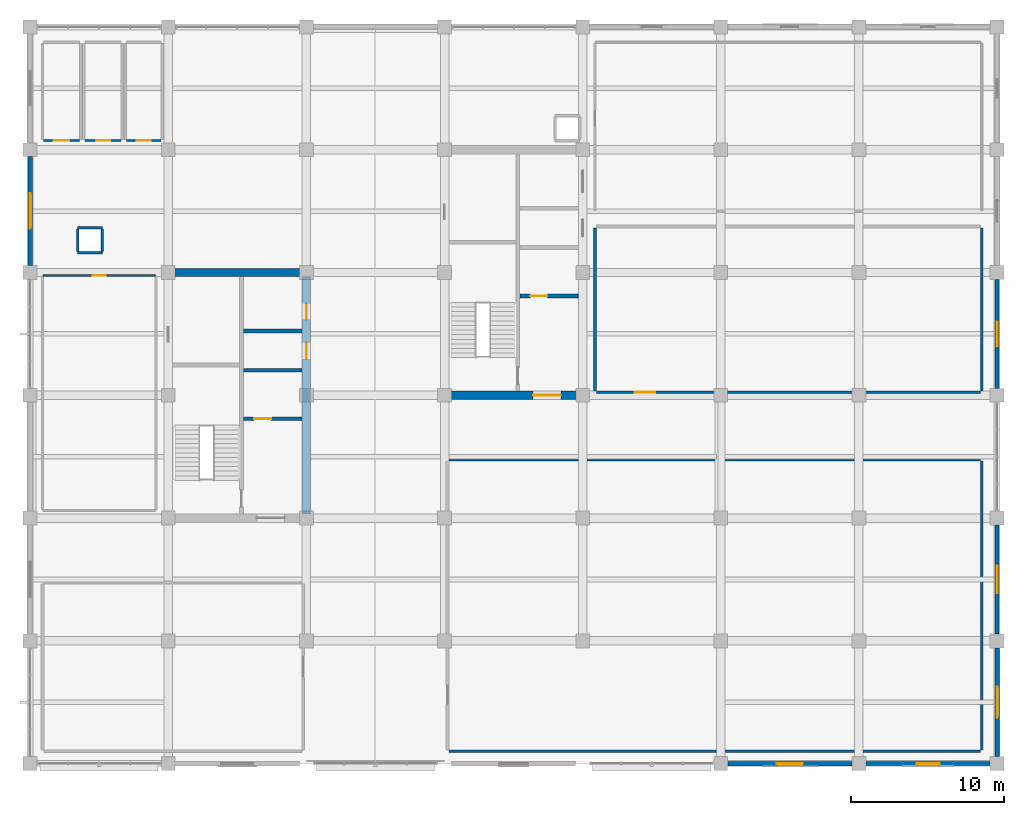
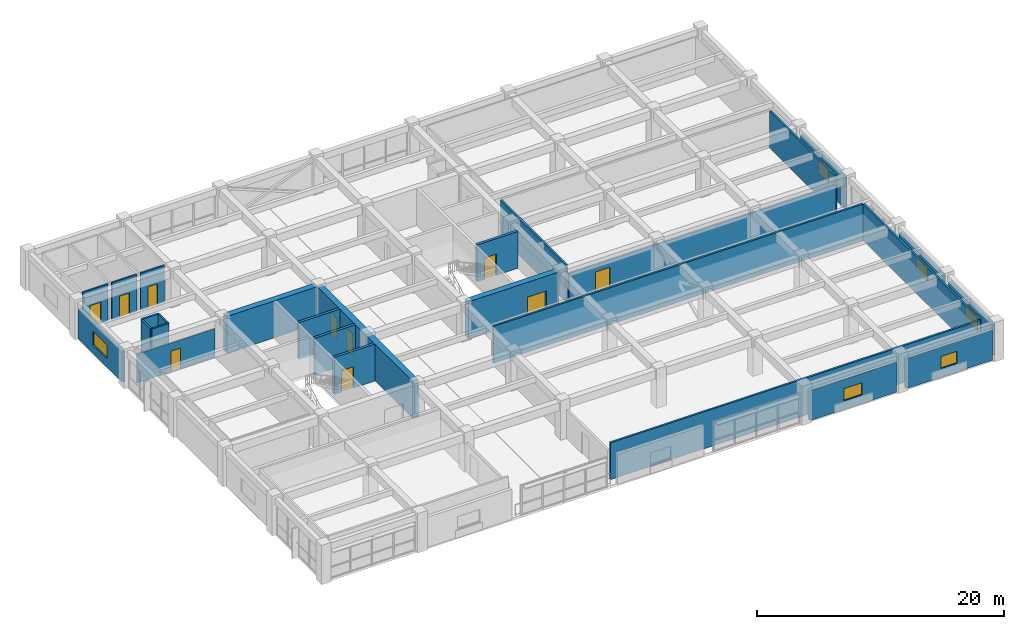
# One storey, part 13 of 16: 27 walls, 10 doors, 6 windows, 16 openings.
"""IFC4 building model written with IfcOpenShell, lengths in metres."""

from ifc_helpers import new_model, si_unit, direction, frame, frame_2d, origin, place, context, subcontext, project, spatial, rectangle, extrude, material, layer, layer_set, type_object, element, fill, save


model = new_model("IFC4")

# Units and contexts
model_context = context("Model", 3, precision=1e-05, world=origin(), true_north=direction((0.0, 1.0)))
body_context = subcontext(model_context, "Body", "Model", "MODEL_VIEW")
ifc_project = project(units=[si_unit("LENGTHUNIT", "METRE"), si_unit("AREAUNIT", "SQUARE_METRE"), si_unit("VOLUMEUNIT", "CUBIC_METRE"), si_unit("PLANEANGLEUNIT", "RADIAN"), si_unit("MASSUNIT", "GRAM", prefix="KILO")], contexts=[model_context])

# Site, building, storey
site_placement = place(None, origin())
site = spatial("IfcSite", under=ifc_project, at=site_placement, CompositionType="ELEMENT")
building_placement = place(site_placement, origin())
building = spatial("IfcBuilding", under=site, at=building_placement, Name="Zaverband Oceanarium and Marine Research Institute", CompositionType="ELEMENT")
storey_placement = place(building_placement, frame((0.0, 0.0, 29.699951171875)))
storey = spatial("IfcBuildingStorey", under=building, at=storey_placement, Name="L07", CompositionType="ELEMENT", Elevation=29.699951171875)

# Wall
ifc_material_1 = material(Name="Concrete C50/60", Category="concrete")
ifc_layer_1 = layer(ifc_material_1, 0.550048828125, Name="Concrete C50/60")
ifc_layer_set_1 = layer_set([ifc_layer_1], Name="Concrete C50/60")
wall_type_1 = type_object("IfcWallType", Name="CW-01", PredefinedType="SHEAR", material=ifc_layer_set_1)
wall_1_placement = place(storey_placement, frame((18.27490234375, 96.0, 0.0), z_axis=(0.0, 0.0, 1.0), x_axis=(1.0, 0.0, 0.0)))
element("IfcWall", 1, at=wall_1_placement, inside=storey, type_object=wall_type_1, Name="Structural shear wall CW-01", PredefinedType="SHEAR", context=body_context, shape_type="SweptSolid", body=[
    extrude(rectangle(XDim=8.4501953125, YDim=0.550048828125, at=frame_2d((4.22509765625, 0.0))), origin(), (0.0, 0.0, 1.0), 3.650146484375),
])

# Wall, openings, doors
wall_2_placement = place(storey_placement, frame((27.0, 80.27490234375, 0.0), z_axis=(0.0, 0.0, 1.0), x_axis=(0.0, 1.0, 0.0)))
wall_2 = element("IfcWall", 2, at=wall_2_placement, inside=storey, type_object=wall_type_1, Name="Structural shear wall CW-01", PredefinedType="SHEAR", context=body_context, shape_type="SweptSolid", body=[
    extrude(rectangle(XDim=15.4501953125, YDim=0.550048828125, at=frame_2d((7.72509765625, 0.0))), origin(), (0.0, 0.0, 1.0), 3.650146484375),
])
opening_1_placement = place(wall_2_placement, frame((10.10009765625, 0.0, 0.0)))
opening_1 = element("IfcOpeningElement", 3, at=opening_1_placement, cuts=wall_2, Name="Opening LD-02", PredefinedType="OPENING", context=body_context, shape_type="SweptSolid", body=[
    extrude(rectangle(XDim=1.050048828125, YDim=2.1201171875, at=frame_2d((0.52490234375, 1.06005859375))), frame((0.0, 0.287109375, 0.0), z_axis=(0.0, -1.0, 0.0), x_axis=(1.0, 0.0, 0.0)), (0.0, 0.0, 1.0), 0.573974609375),
])
opening_2_placement = place(wall_2_placement, frame((12.64990234375, 0.0, 0.0)))
opening_2 = element("IfcOpeningElement", 4, at=opening_2_placement, cuts=wall_2, Name="Opening LD-02", PredefinedType="OPENING", context=body_context, shape_type="SweptSolid", body=[
    extrude(rectangle(XDim=1.050048828125, YDim=2.1201171875, at=frame_2d((0.52490234375, 1.06005859375))), frame((0.0, 0.287109375, 0.0), z_axis=(0.0, -1.0, 0.0), x_axis=(1.0, 0.0, 0.0)), (0.0, 0.0, 1.0), 0.573974609375),
])
ifc_material_2 = material(Name="Steel S355", Category="steel")
door_type_1 = type_object("IfcDoorType", Name="LD-02", OperationType="DOUBLE_DOOR_SLIDING", PredefinedType="DOOR", material=ifc_material_2)
door_1_placement = place(opening_1_placement, origin())
door_1 = element("IfcDoor", 5, at=door_1_placement, inside=storey, type_object=door_type_1, Name="Passenger lift sliding landing door LD-02", OperationType="DOUBLE_DOOR_SLIDING", OverallHeight=2.1201171875, OverallWidth=1.050048828125, PredefinedType="DOOR", context=body_context, shape_type="SweptSolid", body=[
    extrude(rectangle(XDim=1.050048828125, YDim=2.1201171875, at=frame_2d((0.52490234375, 1.06005859375))), frame((0.0, 0.02490234375, 0.0), z_axis=(0.0, -1.0, 0.0), x_axis=(1.0, 0.0, 0.0)), (0.0, 0.0, 1.0), 0.050048828125),
])
fill(opening_1, door_1)
door_2_placement = place(opening_2_placement, origin())
door_2 = element("IfcDoor", 6, at=door_2_placement, inside=storey, type_object=door_type_1, Name="Passenger lift sliding landing door LD-02", OperationType="DOUBLE_DOOR_SLIDING", OverallHeight=2.1201171875, OverallWidth=1.050048828125, PredefinedType="DOOR", context=body_context, shape_type="SweptSolid", body=[
    extrude(rectangle(XDim=1.050048828125, YDim=2.1201171875, at=frame_2d((0.52490234375, 1.06005859375))), frame((0.0, 0.02490234375, 0.0), z_axis=(0.0, -1.0, 0.0), x_axis=(1.0, 0.0, 0.0)), (0.0, 0.0, 1.0), 0.050048828125),
])
fill(opening_2, door_2)

# Wall, opening, door
wall_3_placement = place(storey_placement, frame((36.27490234375, 88.0, 0.0), z_axis=(0.0, 0.0, 1.0), x_axis=(1.0, 0.0, 0.0)))
wall_3 = element("IfcWall", 7, at=wall_3_placement, inside=storey, type_object=wall_type_1, Name="Structural shear wall CW-01", PredefinedType="SHEAR", context=body_context, shape_type="SweptSolid", body=[
    extrude(rectangle(XDim=8.4501953125, YDim=0.550048828125, at=frame_2d((4.22509765625, 0.0))), origin(), (0.0, 0.0, 1.0), 3.650146484375),
])
opening_3_placement = place(wall_3_placement, frame((5.5, 0.0, 0.0)))
opening_3 = element("IfcOpeningElement", 8, at=opening_3_placement, cuts=wall_3, Name="Opening FD-02", PredefinedType="OPENING", context=body_context, shape_type="SweptSolid", body=[
    extrude(rectangle(XDim=1.800048828125, YDim=2.179931640625, at=frame_2d((0.89990234375, 1.08984375))), frame((0.0, 0.287109375, 0.0), z_axis=(0.0, -1.0, 0.0), x_axis=(1.0, 0.0, 0.0)), (0.0, 0.0, 1.0), 0.573974609375),
])
door_type_2 = type_object("IfcDoorType", Name="FD-02", OperationType="DOUBLE_DOOR_SINGLE_SWING", PredefinedType="DOOR", material=ifc_material_2)
door_3_placement = place(opening_3_placement, origin())
door_3 = element("IfcDoor", 9, at=door_3_placement, inside=storey, type_object=door_type_2, Name="Protected lobby double fire door FD-02", OperationType="DOUBLE_DOOR_SINGLE_SWING", OverallHeight=2.179931640625, OverallWidth=1.800048828125, PredefinedType="DOOR", context=body_context, shape_type="SweptSolid", body=[
    extrude(rectangle(XDim=1.800048828125, YDim=2.179931640625, at=frame_2d((0.89990234375, 1.08984375))), frame((0.0, 0.02490234375, 0.0), z_axis=(0.0, -1.0, 0.0), x_axis=(1.0, 0.0, 0.0)), (0.0, 0.0, 1.0), 0.050048828125),
])
fill(opening_3, door_3)

# Wall, opening, window
ifc_material_3 = material(Name="Concrete C40/50 precast", Category="concrete")
ifc_layer_2 = layer(ifc_material_3, 0.264892578125, Name="Concrete C40/50 precast")
ifc_layer_set_2 = layer_set([ifc_layer_2], Name="Concrete C40/50 precast")
wall_type_2 = type_object("IfcWallType", Name="EW-265", PredefinedType="STANDARD", material=ifc_layer_set_2)
wall_4_placement = place(storey_placement, frame((63.455078125, 64.0, 0.0), z_axis=(0.0, 0.0, 1.0), x_axis=(1.0, 0.0, 0.0)))
wall_4 = element("IfcWall", 10, at=wall_4_placement, inside=storey, type_object=wall_type_2, Name="Exterior infill wall EW-265", PredefinedType="STANDARD", context=body_context, shape_type="SweptSolid", body=[
    extrude(rectangle(XDim=8.08984375, YDim=0.264892578125, at=frame_2d((4.044921875, 0.0))), origin(), (0.0, 0.0, 1.0), 2.97998046875),
])
opening_4_placement = place(wall_4_placement, frame((3.294921875, 0.0, 0.85009765625)))
opening_4 = element("IfcOpeningElement", 11, at=opening_4_placement, cuts=wall_4, Name="Opening WN-1500x1200", PredefinedType="OPENING", context=body_context, shape_type="SweptSolid", body=[
    extrude(rectangle(XDim=1.5, YDim=1.199951171875, at=frame_2d((0.75, 0.60009765625))), frame((0.0, 0.14453125, 0.0), z_axis=(0.0, -1.0, 0.0), x_axis=(1.0, 0.0, 0.0)), (0.0, 0.0, 1.0), 0.288818359375),
])
ifc_material_4 = material(Name="Thermally broken anodized aluminium and solar-control glass", Category="aluminium")
window_type_1 = type_object("IfcWindowType", Name="WN-1500x1200", PartitioningType="SINGLE_PANEL", PredefinedType="WINDOW", material=ifc_material_4)
window_1_placement = place(opening_4_placement, origin())
window_1 = element("IfcWindow", 12, at=window_1_placement, inside=storey, type_object=window_type_1, Name="Fixed / casement exterior window WN-1500x1200", OverallHeight=1.199951171875, OverallWidth=1.5, PartitioningType="SINGLE_PANEL", PredefinedType="WINDOW", context=body_context, shape_type="SweptSolid", body=[
    extrude(rectangle(XDim=1.5, YDim=1.199951171875, at=frame_2d((0.75, 0.60009765625))), frame((0.0, 0.030029296875, 0.0), z_axis=(0.0, -1.0, 0.0), x_axis=(1.0, 0.0, 0.0)), (0.0, 0.0, 1.0), 0.06005859375),
])
fill(opening_4, window_1)

wall_5_placement = place(storey_placement, frame((72.0, 72.455078125, 0.0), z_axis=(0.0, 0.0, 1.0), x_axis=(0.0, 1.0, 0.0)))
wall_5 = element("IfcWall", 13, at=wall_5_placement, inside=storey, type_object=wall_type_2, Name="Exterior infill wall EW-265", PredefinedType="STANDARD", context=body_context, shape_type="SweptSolid", body=[
    extrude(rectangle(XDim=7.08984375, YDim=0.264892578125, at=frame_2d((3.544921875, 0.0))), origin(), (0.0, 0.0, 1.0), 2.97998046875),
])
opening_5_placement = place(wall_5_placement, frame((2.64501953125, 0.0, 0.85009765625)))
opening_5 = element("IfcOpeningElement", 14, at=opening_5_placement, cuts=wall_5, Name="Opening WN-1800x1350", PredefinedType="OPENING", context=body_context, shape_type="SweptSolid", body=[
    extrude(rectangle(XDim=1.800048828125, YDim=1.35009765625, at=frame_2d((0.89990234375, 0.675048828125))), frame((0.0, 0.14453125, 0.0), z_axis=(0.0, -1.0, 0.0), x_axis=(1.0, 0.0, 0.0)), (0.0, 0.0, 1.0), 0.288818359375),
])
window_type_2 = type_object("IfcWindowType", Name="WN-1800x1350", PartitioningType="SINGLE_PANEL", PredefinedType="WINDOW", material=ifc_material_4)
window_2_placement = place(opening_5_placement, origin())
window_2 = element("IfcWindow", 15, at=window_2_placement, inside=storey, type_object=window_type_2, Name="Fixed / casement exterior window WN-1800x1350", OverallHeight=1.35009765625, OverallWidth=1.800048828125, PartitioningType="SINGLE_PANEL", PredefinedType="WINDOW", context=body_context, shape_type="SweptSolid", body=[
    extrude(rectangle(XDim=1.800048828125, YDim=1.35009765625, at=frame_2d((0.89990234375, 0.675048828125))), frame((0.0, 0.030029296875, 0.0), z_axis=(0.0, -1.0, 0.0), x_axis=(1.0, 0.0, 0.0)), (0.0, 0.0, 1.0), 0.06005859375),
])
fill(opening_5, window_2)

wall_6_placement = place(storey_placement, frame((72.0, 88.455078125, 0.0), z_axis=(0.0, 0.0, 1.0), x_axis=(0.0, 1.0, 0.0)))
wall_6 = element("IfcWall", 16, at=wall_6_placement, inside=storey, type_object=wall_type_2, Name="Exterior infill wall EW-265", PredefinedType="STANDARD", context=body_context, shape_type="SweptSolid", body=[
    extrude(rectangle(XDim=7.08984375, YDim=0.264892578125, at=frame_2d((3.544921875, 0.0))), origin(), (0.0, 0.0, 1.0), 2.97998046875),
])
opening_6_placement = place(wall_6_placement, frame((2.7451171875, 0.0, 0.85009765625)))
opening_6 = element("IfcOpeningElement", 17, at=opening_6_placement, cuts=wall_6, Name="Opening WN-1600x1350", PredefinedType="OPENING", context=body_context, shape_type="SweptSolid", body=[
    extrude(rectangle(XDim=1.60009765625, YDim=1.35009765625, at=frame_2d((0.800048828125, 0.675048828125))), frame((0.0, 0.14453125, 0.0), z_axis=(0.0, -1.0, 0.0), x_axis=(1.0, 0.0, 0.0)), (0.0, 0.0, 1.0), 0.288818359375),
])
window_type_3 = type_object("IfcWindowType", Name="WN-1600x1350", PartitioningType="SINGLE_PANEL", PredefinedType="WINDOW", material=ifc_material_4)
window_3_placement = place(opening_6_placement, origin())
window_3 = element("IfcWindow", 18, at=window_3_placement, inside=storey, type_object=window_type_3, Name="Fixed / casement exterior window WN-1600x1350", OverallHeight=1.35009765625, OverallWidth=1.60009765625, PartitioningType="SINGLE_PANEL", PredefinedType="WINDOW", context=body_context, shape_type="SweptSolid", body=[
    extrude(rectangle(XDim=1.60009765625, YDim=1.35009765625, at=frame_2d((0.800048828125, 0.675048828125))), frame((0.0, 0.030029296875, 0.0), z_axis=(0.0, -1.0, 0.0), x_axis=(1.0, 0.0, 0.0)), (0.0, 0.0, 1.0), 0.06005859375),
])
fill(opening_6, window_3)

ifc_layer_3 = layer(ifc_material_3, 0.2900390625, Name="Concrete C40/50 precast")
ifc_layer_set_3 = layer_set([ifc_layer_3], Name="Concrete C40/50 precast")
wall_type_3 = type_object("IfcWallType", Name="EW-290", PredefinedType="STANDARD", material=ifc_layer_set_3)
wall_7_placement = place(storey_placement, frame((54.455078125, 64.0, 0.0), z_axis=(0.0, 0.0, 1.0), x_axis=(1.0, 0.0, 0.0)))
wall_7 = element("IfcWall", 19, at=wall_7_placement, inside=storey, type_object=wall_type_3, Name="Exterior infill wall EW-290", PredefinedType="STANDARD", context=body_context, shape_type="SweptSolid", body=[
    extrude(rectangle(XDim=8.08984375, YDim=0.2900390625, at=frame_2d((4.044921875, 0.0))), origin(), (0.0, 0.0, 1.0), 2.97998046875),
])
opening_7_placement = place(wall_7_placement, frame((3.195068359375, 0.0, 0.85009765625)))
opening_7 = element("IfcOpeningElement", 20, at=opening_7_placement, cuts=wall_7, Name="Opening WN-1700x1200", PredefinedType="OPENING", context=body_context, shape_type="SweptSolid", body=[
    extrude(rectangle(XDim=1.699951171875, YDim=1.199951171875, at=frame_2d((0.85009765625, 0.60009765625))), frame((0.0, 0.156982421875, 0.0), z_axis=(0.0, -1.0, 0.0), x_axis=(1.0, 0.0, 0.0)), (0.0, 0.0, 1.0), 0.31396484375),
])
window_type_4 = type_object("IfcWindowType", Name="WN-1700x1200", PartitioningType="SINGLE_PANEL", PredefinedType="WINDOW", material=ifc_material_4)
window_4_placement = place(opening_7_placement, origin())
window_4 = element("IfcWindow", 21, at=window_4_placement, inside=storey, type_object=window_type_4, Name="Fixed / casement exterior window WN-1700x1200", OverallHeight=1.199951171875, OverallWidth=1.699951171875, PartitioningType="SINGLE_PANEL", PredefinedType="WINDOW", context=body_context, shape_type="SweptSolid", body=[
    extrude(rectangle(XDim=1.699951171875, YDim=1.199951171875, at=frame_2d((0.85009765625, 0.60009765625))), frame((0.0, 0.030029296875, 0.0), z_axis=(0.0, -1.0, 0.0), x_axis=(1.0, 0.0, 0.0)), (0.0, 0.0, 1.0), 0.06005859375),
])
fill(opening_7, window_4)

wall_8_placement = place(storey_placement, frame((9.0, 96.455078125, 0.0), z_axis=(0.0, 0.0, 1.0), x_axis=(0.0, 1.0, 0.0)))
wall_8 = element("IfcWall", 22, at=wall_8_placement, inside=storey, type_object=wall_type_3, Name="Exterior infill wall EW-290", PredefinedType="STANDARD", context=body_context, shape_type="SweptSolid", body=[
    extrude(rectangle(XDim=7.08984375, YDim=0.2900390625, at=frame_2d((3.544921875, 0.0))), origin(), (0.0, 0.0, 1.0), 2.97998046875),
])
opening_8_placement = place(wall_8_placement, frame((2.39501953125, 0.0, 0.85009765625)))
opening_8 = element("IfcOpeningElement", 23, at=opening_8_placement, cuts=wall_8, Name="Opening WN-2300x1350", PredefinedType="OPENING", context=body_context, shape_type="SweptSolid", body=[
    extrude(rectangle(XDim=2.300048828125, YDim=1.35009765625, at=frame_2d((1.14990234375, 0.675048828125))), frame((0.0, 0.156982421875, 0.0), z_axis=(0.0, -1.0, 0.0), x_axis=(1.0, 0.0, 0.0)), (0.0, 0.0, 1.0), 0.31396484375),
])
window_type_5 = type_object("IfcWindowType", Name="WN-2300x1350", PartitioningType="SINGLE_PANEL", PredefinedType="WINDOW", material=ifc_material_4)
window_5_placement = place(opening_8_placement, origin())
window_5 = element("IfcWindow", 24, at=window_5_placement, inside=storey, type_object=window_type_5, Name="Fixed / casement exterior window WN-2300x1350", OverallHeight=1.35009765625, OverallWidth=2.300048828125, PartitioningType="SINGLE_PANEL", PredefinedType="WINDOW", context=body_context, shape_type="SweptSolid", body=[
    extrude(rectangle(XDim=2.300048828125, YDim=1.35009765625, at=frame_2d((1.14990234375, 0.675048828125))), frame((0.0, 0.030029296875, 0.0), z_axis=(0.0, -1.0, 0.0), x_axis=(1.0, 0.0, 0.0)), (0.0, 0.0, 1.0), 0.06005859375),
])
fill(opening_8, window_5)

wall_9_placement = place(storey_placement, frame((72.0, 64.455078125, 0.0), z_axis=(0.0, 0.0, 1.0), x_axis=(0.0, 1.0, 0.0)))
wall_9 = element("IfcWall", 25, at=wall_9_placement, inside=storey, type_object=wall_type_3, Name="Exterior infill wall EW-290", PredefinedType="STANDARD", context=body_context, shape_type="SweptSolid", body=[
    extrude(rectangle(XDim=7.08984375, YDim=0.2900390625, at=frame_2d((3.544921875, 0.0))), origin(), (0.0, 0.0, 1.0), 2.97998046875),
])
opening_9_placement = place(wall_9_placement, frame((2.544921875, 0.0, 0.85009765625)))
opening_9 = element("IfcOpeningElement", 26, at=opening_9_placement, cuts=wall_9, Name="Opening WN-2000x1350", PredefinedType="OPENING", context=body_context, shape_type="SweptSolid", body=[
    extrude(rectangle(XDim=2.0, YDim=1.35009765625, at=frame_2d((1.0, 0.675048828125))), frame((0.0, 0.156982421875, 0.0), z_axis=(0.0, -1.0, 0.0), x_axis=(1.0, 0.0, 0.0)), (0.0, 0.0, 1.0), 0.31396484375),
])
window_type_6 = type_object("IfcWindowType", Name="WN-2000x1350", PartitioningType="SINGLE_PANEL", PredefinedType="WINDOW", material=ifc_material_4)
window_6_placement = place(opening_9_placement, origin())
window_6 = element("IfcWindow", 27, at=window_6_placement, inside=storey, type_object=window_type_6, Name="Fixed / casement exterior window WN-2000x1350", OverallHeight=1.35009765625, OverallWidth=2.0, PartitioningType="SINGLE_PANEL", PredefinedType="WINDOW", context=body_context, shape_type="SweptSolid", body=[
    extrude(rectangle(XDim=2.0, YDim=1.35009765625, at=frame_2d((1.0, 0.675048828125))), frame((0.0, 0.030029296875, 0.0), z_axis=(0.0, -1.0, 0.0), x_axis=(1.0, 0.0, 0.0)), (0.0, 0.0, 1.0), 0.06005859375),
])
fill(opening_9, window_6)

# Wall, opening, door
ifc_material_5 = material(Name="Store room fire-lined stud partition")
ifc_layer_4 = layer(ifc_material_5, 0.110107421875, Name="Store room fire-lined stud partition")
ifc_layer_set_4 = layer_set([ifc_layer_4], Name="Store room fire-lined stud partition")
wall_type_4 = type_object("IfcWallType", Name="PT-110-ST", PredefinedType="PARTITIONING", material=ifc_layer_set_4)
wall_10_placement = place(storey_placement, frame((9.85498046875, 95.800048828125, 0.0), z_axis=(0.0, 0.0, 1.0), x_axis=(1.0, 0.0, 0.0)))
wall_10 = element("IfcWall", 28, at=wall_10_placement, inside=storey, type_object=wall_type_4, Name="Internal partition PT-110-ST", PredefinedType="PARTITIONING", context=body_context, shape_type="SweptSolid", body=[
    extrude(rectangle(XDim=7.2900390625, YDim=0.110107421875, at=frame_2d((3.64501953125, 0.0))), origin(), (0.0, 0.0, 1.0), 2.85009765625),
])
opening_10_placement = place(wall_10_placement, frame((3.2099609375, 0.0, 0.0)))
opening_10 = element("IfcOpeningElement", 29, at=opening_10_placement, cuts=wall_10, Name="Opening ID-870x2040", PredefinedType="OPENING", context=body_context, shape_type="SweptSolid", body=[
    extrude(rectangle(XDim=0.8701171875, YDim=2.0400390625, at=frame_2d((0.43505859375, 1.02001953125))), frame((0.0, 0.06689453125, 0.0), z_axis=(0.0, -1.0, 0.0), x_axis=(1.0, 0.0, 0.0)), (0.0, 0.0, 1.0), 0.134033203125),
])
ifc_material_6 = material(Name="Hardwood-veneered acoustic timber", Category="wood")
door_type_3 = type_object("IfcDoorType", Name="ID-870x2040", OperationType="NOTDEFINED", PredefinedType="DOOR", material=ifc_material_6)
door_4_placement = place(opening_10_placement, origin())
door_4 = element("IfcDoor", 30, at=door_4_placement, inside=storey, type_object=door_type_3, Name="Laboratory store door ID-870x2040", OperationType="SINGLE_SWING_LEFT", OverallHeight=2.0400390625, OverallWidth=0.8701171875, PredefinedType="DOOR", context=body_context, shape_type="SweptSolid", body=[
    extrude(rectangle(XDim=0.8701171875, YDim=2.0400390625, at=frame_2d((0.43505859375, 1.02001953125))), frame((0.0, 0.02490234375, 0.0), z_axis=(0.0, -1.0, 0.0), x_axis=(1.0, 0.0, 0.0)), (0.0, 0.0, 1.0), 0.050048828125),
])
fill(opening_10, door_4)

ifc_material_7 = material(Name="Ceramic-tiled wet-room blockwork", Category="masonry")
ifc_layer_5 = layer(ifc_material_7, 0.14990234375, Name="Ceramic-tiled wet-room blockwork")
ifc_layer_set_5 = layer_set([ifc_layer_5], Name="Ceramic-tiled wet-room blockwork")
wall_type_5 = type_object("IfcWallType", Name="PT-150-WC", PredefinedType="PARTITIONING", material=ifc_layer_set_5)
wall_11_placement = place(storey_placement, frame((9.875, 104.60009765625, 0.0), z_axis=(0.0, 0.0, 1.0), x_axis=(1.0, 0.0, 0.0)))
wall_11 = element("IfcWall", 31, at=wall_11_placement, inside=storey, type_object=wall_type_5, Name="Internal partition PT-150-WC", PredefinedType="PARTITIONING", context=body_context, shape_type="SweptSolid", body=[
    extrude(rectangle(XDim=2.35009765625, YDim=0.14990234375, at=frame_2d((1.175048828125, 0.0))), origin(), (0.0, 0.0, 1.0), 3.650146484375),
])
opening_11_placement = place(wall_11_placement, frame((0.6650390625, 0.0, 0.0)))
opening_11 = element("IfcOpeningElement", 32, at=opening_11_placement, cuts=wall_11, Name="Opening ID-1020x2100", PredefinedType="OPENING", context=body_context, shape_type="SweptSolid", body=[
    extrude(rectangle(XDim=1.02001953125, YDim=2.10009765625, at=frame_2d((0.510009765625, 1.050048828125))), frame((0.0, 0.0869140625, 0.0), z_axis=(0.0, -1.0, 0.0), x_axis=(1.0, 0.0, 0.0)), (0.0, 0.0, 1.0), 0.173828125),
])
door_type_4 = type_object("IfcDoorType", Name="ID-1020x2100", OperationType="NOTDEFINED", PredefinedType="DOOR", material=ifc_material_6)
door_5_placement = place(opening_11_placement, frame((1.02001953125, 0.0, 0.0), z_axis=(0.0, 0.0, 1.0), x_axis=(-1.0, 0.0, 0.0)))
door_5 = element("IfcDoor", 33, at=door_5_placement, inside=storey, type_object=door_type_4, Name="Accessible WC outward-swing door ID-1020x2100", OperationType="SINGLE_SWING_LEFT", OverallHeight=2.10009765625, OverallWidth=1.02001953125, PredefinedType="DOOR", context=body_context, shape_type="SweptSolid", body=[
    extrude(rectangle(XDim=1.02001953125, YDim=2.10009765625, at=frame_2d((0.510009765625, 1.050048828125))), frame((0.0, 0.02490234375, 0.0), z_axis=(0.0, -1.0, 0.0), x_axis=(1.0, 0.0, 0.0)), (0.0, 0.0, 1.0), 0.050048828125),
])
fill(opening_11, door_5)

wall_12_placement = place(storey_placement, frame((12.574951171875, 104.60009765625, 0.0), z_axis=(0.0, 0.0, 1.0), x_axis=(1.0, 0.0, 0.0)))
wall_12 = element("IfcWall", 34, at=wall_12_placement, inside=storey, type_object=wall_type_5, Name="Internal partition PT-150-WC", PredefinedType="PARTITIONING", context=body_context, shape_type="SweptSolid", body=[
    extrude(rectangle(XDim=2.35009765625, YDim=0.14990234375, at=frame_2d((1.175048828125, 0.0))), origin(), (0.0, 0.0, 1.0), 3.650146484375),
])
opening_12_placement = place(wall_12_placement, frame((0.719970703125, 0.0, 0.0)))
opening_12 = element("IfcOpeningElement", 35, at=opening_12_placement, cuts=wall_12, Name="Opening ID-910x2080", PredefinedType="OPENING", context=body_context, shape_type="SweptSolid", body=[
    extrude(rectangle(XDim=0.909912109375, YDim=2.080078125, at=frame_2d((0.455078125, 1.0400390625))), frame((0.0, 0.0869140625, 0.0), z_axis=(0.0, -1.0, 0.0), x_axis=(1.0, 0.0, 0.0)), (0.0, 0.0, 1.0), 0.173828125),
])
door_type_5 = type_object("IfcDoorType", Name="ID-910x2080", OperationType="NOTDEFINED", PredefinedType="DOOR", material=ifc_material_6)
door_6_placement = place(opening_12_placement, origin())
door_6 = element("IfcDoor", 36, at=door_6_placement, inside=storey, type_object=door_type_5, Name="Sanitary washroom entrance door ID-910x2080", OperationType="SINGLE_SWING_RIGHT", OverallHeight=2.080078125, OverallWidth=0.909912109375, PredefinedType="DOOR", context=body_context, shape_type="SweptSolid", body=[
    extrude(rectangle(XDim=0.909912109375, YDim=2.080078125, at=frame_2d((0.455078125, 1.0400390625))), frame((0.0, 0.02490234375, 0.0), z_axis=(0.0, -1.0, 0.0), x_axis=(1.0, 0.0, 0.0)), (0.0, 0.0, 1.0), 0.050048828125),
])
fill(opening_12, door_6)

wall_13_placement = place(storey_placement, frame((15.27490234375, 104.60009765625, 0.0), z_axis=(0.0, 0.0, 1.0), x_axis=(1.0, 0.0, 0.0)))
wall_13 = element("IfcWall", 37, at=wall_13_placement, inside=storey, type_object=wall_type_5, Name="Internal partition PT-150-WC", PredefinedType="PARTITIONING", context=body_context, shape_type="SweptSolid", body=[
    extrude(rectangle(XDim=2.25, YDim=0.14990234375, at=frame_2d((1.125, 0.0))), origin(), (0.0, 0.0, 1.0), 3.650146484375),
])
opening_13_placement = place(wall_13_placement, frame((0.679931640625, 0.0, 0.0)))
opening_13 = element("IfcOpeningElement", 38, at=opening_13_placement, cuts=wall_13, Name="Opening ID-890x2060", PredefinedType="OPENING", context=body_context, shape_type="SweptSolid", body=[
    extrude(rectangle(XDim=0.889892578125, YDim=2.06005859375, at=frame_2d((0.44482421875, 1.030029296875))), frame((0.0, 0.0869140625, 0.0), z_axis=(0.0, -1.0, 0.0), x_axis=(1.0, 0.0, 0.0)), (0.0, 0.0, 1.0), 0.173828125),
])
door_type_6 = type_object("IfcDoorType", Name="ID-890x2060", OperationType="NOTDEFINED", PredefinedType="DOOR", material=ifc_material_6)
door_7_placement = place(opening_13_placement, origin())
door_7 = element("IfcDoor", 39, at=door_7_placement, inside=storey, type_object=door_type_6, Name="Staff WC door ID-890x2060", OperationType="SINGLE_SWING_LEFT", OverallHeight=2.06005859375, OverallWidth=0.889892578125, PredefinedType="DOOR", context=body_context, shape_type="SweptSolid", body=[
    extrude(rectangle(XDim=0.889892578125, YDim=2.06005859375, at=frame_2d((0.44482421875, 1.030029296875))), frame((0.0, 0.02490234375, 0.0), z_axis=(0.0, -1.0, 0.0), x_axis=(1.0, 0.0, 0.0)), (0.0, 0.0, 1.0), 0.050048828125),
])
fill(opening_13, door_7)

# Walls
ifc_material_8 = material(Name="Corridor rated drywall partition")
ifc_layer_6 = layer(ifc_material_8, 0.1650390625, Name="Corridor rated drywall partition")
ifc_layer_set_6 = layer_set([ifc_layer_6], Name="Corridor rated drywall partition")
wall_type_6 = type_object("IfcWallType", Name="PT-165-CR", PredefinedType="PARTITIONING", material=ifc_layer_set_6)
for number, where, z_axis, x_axis, name in (
    (40, (12.10009765625, 97.300048828125, 0.0), (0.0, 0.0, 1.0), (1.0, 0.0, 0.0), "Internal partition PT-165-CR"),
    (41, (12.10009765625, 98.89990234375, 0.0), (0.0, 0.0, 1.0), (1.0, 0.0, 0.0), "Internal partition PT-165-CR"),
):
    element("IfcWall", number, at=place(storey_placement, frame(where, z_axis=z_axis, x_axis=x_axis)), inside=storey, type_object=wall_type_6, Name=name, PredefinedType="PARTITIONING", context=body_context, shape_type="SweptSolid", body=[
        extrude(rectangle(XDim=1.599853515625, YDim=0.1650390625, at=frame_2d((0.7998046875, 0.0))), origin(), (0.0, 0.0, 1.0), 3.650146484375),
    ])
for number, where, z_axis, x_axis, name in (
    (42, (12.10009765625, 97.3798828125, 0.0), (0.0, 0.0, 1.0), (0.0, 1.0, 0.0), "Internal partition PT-165-CR"),
    (43, (13.699951171875, 97.3798828125, 0.0), (0.0, 0.0, 1.0), (0.0, 1.0, 0.0), "Internal partition PT-165-CR"),
):
    element("IfcWall", number, at=place(storey_placement, frame(where, z_axis=z_axis, x_axis=x_axis)), inside=storey, type_object=wall_type_6, Name=name, PredefinedType="PARTITIONING", context=body_context, shape_type="SweptSolid", body=[
        extrude(rectangle(XDim=1.440185546875, YDim=0.1650390625, at=frame_2d((0.72021484375, 0.0))), origin(), (0.0, 0.0, 1.0), 3.650146484375),
    ])
ifc_material_9 = material(Name="Moisture-resistant laboratory blockwork", Category="masonry")
ifc_layer_7 = layer(ifc_material_9, 0.179931640625, Name="Moisture-resistant laboratory blockwork")
ifc_layer_set_7 = layer_set([ifc_layer_7], Name="Moisture-resistant laboratory blockwork")
wall_type_7 = type_object("IfcWallType", Name="PT-180-LB", PredefinedType="PARTITIONING", material=ifc_layer_set_7)
for number, where, z_axis, x_axis, name in (
    (44, (36.2900390625, 64.800048828125, 0.0), (0.0, 0.0, 1.0), (1.0, 0.0, 0.0), "Internal partition PT-180-LB"),
    (45, (36.2900390625, 83.800048828125, 0.0), (0.0, 0.0, 1.0), (1.0, 0.0, 0.0), "Internal partition PT-180-LB"),
):
    element("IfcWall", number, at=place(storey_placement, frame(where, z_axis=z_axis, x_axis=x_axis)), inside=storey, type_object=wall_type_7, Name=name, PredefinedType="PARTITIONING", context=body_context, shape_type="SweptSolid", body=[
        extrude(rectangle(XDim=34.619873046875, YDim=0.179931640625, at=frame_2d((17.31005859375, 0.0))), origin(), (0.0, 0.0, 1.0), 3.650146484375),
    ])
wall_14_placement = place(storey_placement, frame((71.0, 64.889892578125, 0.0), z_axis=(0.0, 0.0, 1.0), x_axis=(0.0, 1.0, 0.0)))
element("IfcWall", 46, at=wall_14_placement, inside=storey, type_object=wall_type_7, Name="Internal partition PT-180-LB", PredefinedType="PARTITIONING", context=body_context, shape_type="SweptSolid", body=[
    extrude(rectangle(XDim=18.820068359375, YDim=0.179931640625, at=frame_2d((9.41015625, 0.0))), origin(), (0.0, 0.0, 1.0), 3.650146484375),
])

# Wall, opening, door
wall_15_placement = place(storey_placement, frame((45.889892578125, 88.199951171875, 0.0), z_axis=(0.0, 0.0, 1.0), x_axis=(1.0, 0.0, 0.0)))
wall_15 = element("IfcWall", 47, at=wall_15_placement, inside=storey, type_object=wall_type_7, Name="Internal partition PT-180-LB", PredefinedType="PARTITIONING", context=body_context, shape_type="SweptSolid", body=[
    extrude(rectangle(XDim=25.02001953125, YDim=0.179931640625, at=frame_2d((12.510009765625, 0.0))), origin(), (0.0, 0.0, 1.0), 2.85009765625),
])
opening_14_placement = place(wall_15_placement, frame((2.5, 0.0, 0.0)))
opening_14 = element("IfcOpeningElement", 48, at=opening_14_placement, cuts=wall_15, Name="Opening ID-1350x2140", PredefinedType="OPENING", context=body_context, shape_type="SweptSolid", body=[
    extrude(rectangle(XDim=1.35009765625, YDim=2.139892578125, at=frame_2d((0.675048828125, 1.06982421875))), frame((0.0, 0.10205078125, 0.0), z_axis=(0.0, -1.0, 0.0), x_axis=(1.0, 0.0, 0.0)), (0.0, 0.0, 1.0), 0.203857421875),
])
door_type_7 = type_object("IfcDoorType", Name="ID-1350x2140", OperationType="NOTDEFINED", PredefinedType="DOOR", material=ifc_material_6)
door_8_placement = place(opening_14_placement, origin())
door_8 = element("IfcDoor", 49, at=door_8_placement, inside=storey, type_object=door_type_7, Name="Oceanography laboratory equipment door ID-1350x2140", OperationType="SINGLE_SWING_LEFT", OverallHeight=2.139892578125, OverallWidth=1.35009765625, PredefinedType="DOOR", context=body_context, shape_type="SweptSolid", body=[
    extrude(rectangle(XDim=1.35009765625, YDim=2.139892578125, at=frame_2d((0.675048828125, 1.06982421875))), frame((0.0, 0.02490234375, 0.0), z_axis=(0.0, -1.0, 0.0), x_axis=(1.0, 0.0, 0.0)), (0.0, 0.0, 1.0), 0.050048828125),
])
fill(opening_14, door_8)

# Walls
for number, where, z_axis, x_axis, name in (
    (50, (45.800048828125, 88.2900390625, 0.0), (0.0, 0.0, 1.0), (0.0, 1.0, 0.0), "Internal partition PT-180-LB"),
    (51, (71.0, 88.2900390625, 0.0), (0.0, 0.0, 1.0), (0.0, 1.0, 0.0), "Internal partition PT-180-LB"),
):
    element("IfcWall", number, at=place(storey_placement, frame(where, z_axis=z_axis, x_axis=x_axis)), inside=storey, type_object=wall_type_7, Name=name, PredefinedType="PARTITIONING", context=body_context, shape_type="SweptSolid", body=[
        extrude(rectangle(XDim=10.619873046875, YDim=0.179931640625, at=frame_2d((5.31005859375, 0.0))), origin(), (0.0, 0.0, 1.0), 3.650146484375),
    ])

# Wall, opening, door
ifc_layer_8 = layer(ifc_material_1, 0.25, Name="Concrete C50/60")
ifc_layer_set_8 = layer_set([ifc_layer_8], Name="Concrete C50/60")
wall_type_8 = type_object("IfcWallType", Name="PW-CORE-250", PredefinedType="SOLIDWALL", material=ifc_layer_set_8)
wall_16_placement = place(storey_placement, frame((22.905029296875, 86.47509765625, 0.0), z_axis=(0.0, 0.0, 1.0), x_axis=(1.0, 0.0, 0.0)))
wall_16 = element("IfcWall", 52, at=wall_16_placement, inside=storey, type_object=wall_type_8, Name="Structural concrete wall PW-CORE-250", PredefinedType="SOLIDWALL", context=body_context, shape_type="SweptSolid", body=[
    extrude(rectangle(XDim=3.820068359375, YDim=0.25, at=frame_2d((1.91015625, 0.0))), origin(), (0.0, 0.0, 1.0), 3.650146484375),
])
opening_15_placement = place(wall_16_placement, frame((0.695068359375, 0.0, 0.0)))
opening_15 = element("IfcOpeningElement", 53, at=opening_15_placement, cuts=wall_16, Name="Opening LD-01", PredefinedType="OPENING", context=body_context, shape_type="SweptSolid", body=[
    extrude(rectangle(XDim=1.10009765625, YDim=2.1201171875, at=frame_2d((0.550048828125, 1.06005859375))), frame((0.0, 0.136962890625, 0.0), z_axis=(0.0, -1.0, 0.0), x_axis=(1.0, 0.0, 0.0)), (0.0, 0.0, 1.0), 0.27392578125),
])
door_type_8 = type_object("IfcDoorType", Name="LD-01", OperationType="DOUBLE_DOOR_SLIDING", PredefinedType="DOOR", material=ifc_material_2)
door_9_placement = place(opening_15_placement, origin())
door_9 = element("IfcDoor", 54, at=door_9_placement, inside=storey, type_object=door_type_8, Name="Firefighting lift sliding landing door LD-01", OperationType="DOUBLE_DOOR_SLIDING", OverallHeight=2.1201171875, OverallWidth=1.10009765625, PredefinedType="DOOR", context=body_context, shape_type="SweptSolid", body=[
    extrude(rectangle(XDim=1.10009765625, YDim=2.1201171875, at=frame_2d((0.550048828125, 1.06005859375))), frame((0.0, 0.02490234375, 0.0), z_axis=(0.0, -1.0, 0.0), x_axis=(1.0, 0.0, 0.0)), (0.0, 0.0, 1.0), 0.050048828125),
])
fill(opening_15, door_9)

# Walls
for number, where, z_axis, x_axis, name in (
    (55, (22.905029296875, 89.6298828125, 0.0), (0.0, 0.0, 1.0), (1.0, 0.0, 0.0), "Structural concrete wall PW-CORE-250"),
    (56, (22.905029296875, 92.179931640625, 0.0), (0.0, 0.0, 1.0), (1.0, 0.0, 0.0), "Structural concrete wall PW-CORE-250"),
):
    element("IfcWall", number, at=place(storey_placement, frame(where, z_axis=z_axis, x_axis=x_axis)), inside=storey, type_object=wall_type_8, Name=name, PredefinedType="SOLIDWALL", context=body_context, shape_type="SweptSolid", body=[
        extrude(rectangle(XDim=3.820068359375, YDim=0.25, at=frame_2d((1.91015625, 0.0))), origin(), (0.0, 0.0, 1.0), 3.650146484375),
    ])

# Wall, opening, door
wall_17_placement = place(storey_placement, frame((40.905029296875, 94.47509765625, 0.0), z_axis=(0.0, 0.0, 1.0), x_axis=(1.0, 0.0, 0.0)))
wall_17 = element("IfcWall", 57, at=wall_17_placement, inside=storey, type_object=wall_type_8, Name="Structural concrete wall PW-CORE-250", PredefinedType="SOLIDWALL", context=body_context, shape_type="SweptSolid", body=[
    extrude(rectangle(XDim=3.820068359375, YDim=0.25, at=frame_2d((1.91015625, 0.0))), origin(), (0.0, 0.0, 1.0), 3.650146484375),
])
opening_16_placement = place(wall_17_placement, frame((0.695068359375, 0.0, 0.0)))
opening_16 = element("IfcOpeningElement", 58, at=opening_16_placement, cuts=wall_17, Name="Opening LD-01", PredefinedType="OPENING", context=body_context, shape_type="SweptSolid", body=[
    extrude(rectangle(XDim=1.10009765625, YDim=2.1201171875, at=frame_2d((0.550048828125, 1.06005859375))), frame((0.0, 0.136962890625, 0.0), z_axis=(0.0, -1.0, 0.0), x_axis=(1.0, 0.0, 0.0)), (0.0, 0.0, 1.0), 0.27392578125),
])
door_10_placement = place(opening_16_placement, origin())
door_10 = element("IfcDoor", 59, at=door_10_placement, inside=storey, type_object=door_type_8, Name="Firefighting lift sliding landing door LD-01", OperationType="DOUBLE_DOOR_SLIDING", OverallHeight=2.1201171875, OverallWidth=1.10009765625, PredefinedType="DOOR", context=body_context, shape_type="SweptSolid", body=[
    extrude(rectangle(XDim=1.10009765625, YDim=2.1201171875, at=frame_2d((0.550048828125, 1.06005859375))), frame((0.0, 0.02490234375, 0.0), z_axis=(0.0, -1.0, 0.0), x_axis=(1.0, 0.0, 0.0)), (0.0, 0.0, 1.0), 0.050048828125),
])
fill(opening_16, door_10)

save(model, "model.ifc")
